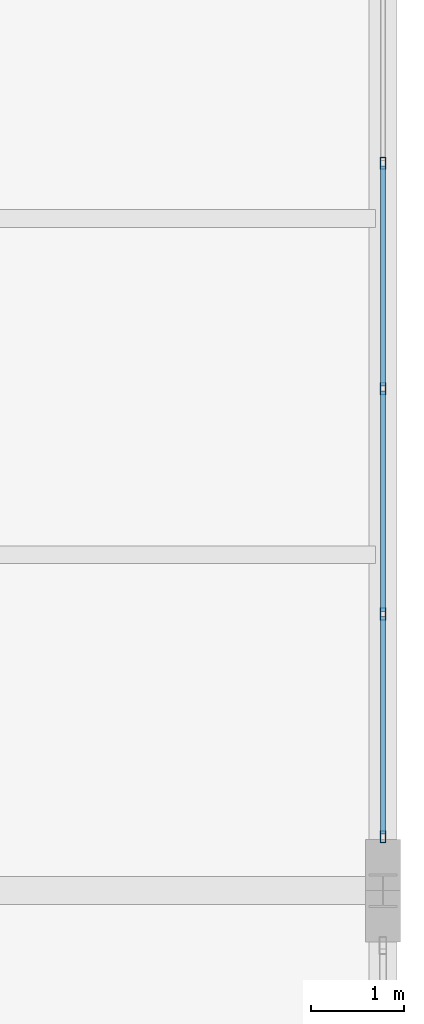
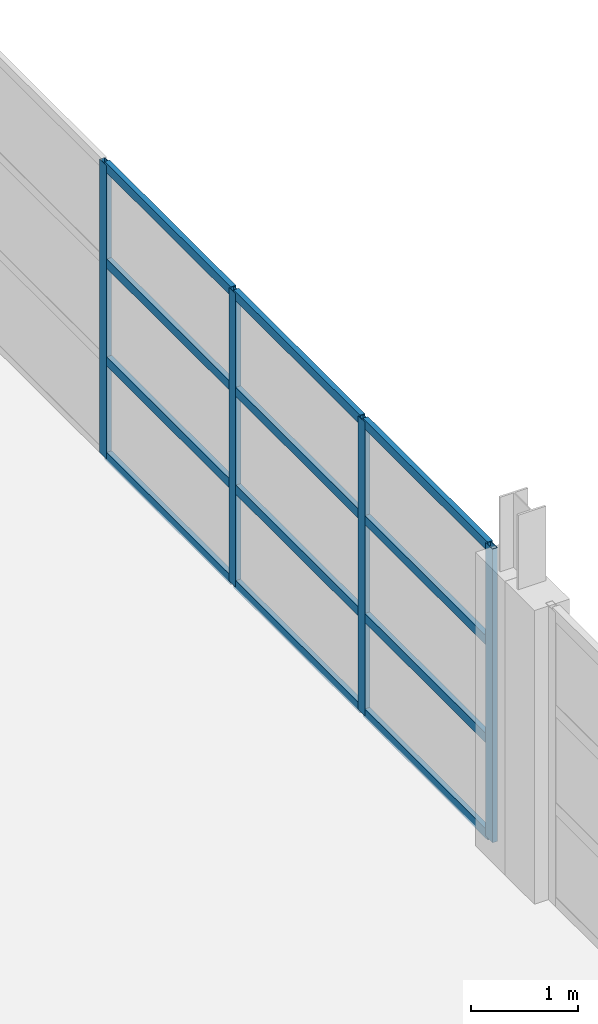
# One storey, part 107 of 147: 16 members, 1 element without a shape of its own.
"""IFC4 building model written with IfcOpenShell, lengths in metres."""

from ifc_helpers import new_model, si_unit, direction, frame, origin, origin_2d, place, context, subcontext, project, spatial, hollow_rectangle, extrude, material, layer, layer_set, material_profile, profile_set, type_object, element, aggregate, save


model = new_model("IFC4")

# Units and contexts
model_context = context("Model", 3, precision=1e-05, world=origin(), true_north=direction((0.0, 1.0)))
body_context = subcontext(model_context, "Body", "Model", "MODEL_VIEW")
ifc_project = project(units=[si_unit("LENGTHUNIT", "METRE"), si_unit("AREAUNIT", "SQUARE_METRE"), si_unit("VOLUMEUNIT", "CUBIC_METRE"), si_unit("PLANEANGLEUNIT", "RADIAN"), si_unit("MASSUNIT", "GRAM", prefix="KILO")], contexts=[model_context])

# Site, building, storey
site_placement = place(None, origin())
site = spatial("IfcSite", under=ifc_project, at=site_placement, CompositionType="ELEMENT")
building_placement = place(site_placement, origin())
building = spatial("IfcBuilding", under=site, at=building_placement, Name="Zilviju Railside Exhibition Hall", CompositionType="ELEMENT")
storey_placement = place(building_placement, frame((0.0, 0.0, 8.39990234375)))
storey = spatial("IfcBuildingStorey", under=building, at=storey_placement, Name="L03", CompositionType="ELEMENT", Elevation=8.39990234375)

# Curtain wall, members
ifc_material_1 = material(Name="Thermally broken aluminium-steel triple-glazed curtain wall", Category="steel")
ifc_layer = layer(ifc_material_1, 0.179931640625)
ifc_layer_set = layer_set([ifc_layer], Name="Thermally broken aluminium-steel triple-glazed curtain wall")
curtain_wall_type = type_object("IfcCurtainWallType", Name="CW-BAY-10", PredefinedType="USERDEFINED", material=ifc_layer_set)
curtain_wall_placement = place(storey_placement, origin())
curtain_wall = element("IfcCurtainWall", 1, at=curtain_wall_placement, inside=storey, type_object=curtain_wall_type, Name="North Hall East Glazed Gable L03 (120..138)", ObjectType="GLAZED CURTAIN WALL", PredefinedType="USERDEFINED")
ifc_material_2 = material(Name="Thermally broken anodized aluminium mullion", Category="aluminium")
ifc_material_profile_1 = material_profile(ifc_material_2, hollow_rectangle(XDim=0.054931640625, YDim=0.1298828125, WallThickness=0.0048828125, at=origin_2d()), Name="MULLION 130x55x5")
ifc_profile_set_1 = profile_set([ifc_material_profile_1], Name="Thermally broken anodized aluminium mullion")
member_type_1 = type_object("IfcMemberType", Name="CWM-55x130", PredefinedType="MULLION", material=ifc_profile_set_1)
member_1_placement = place(storey_placement, frame((216.0, 127.79296875, 0.0), z_axis=(0.0, 0.0, 1.0), x_axis=(1.0, 0.0, 0.0)))
member_1 = element("IfcMember", 2, at=member_1_placement, type_object=member_type_1, Name="CW-10 mullion 5", PredefinedType="MULLION", context=body_context, shape_type="SweptSolid", body=[
    extrude(hollow_rectangle(XDim=0.054931640625, YDim=0.1298828125, WallThickness=0.0048828125, at=origin_2d()), origin(), (0.0, 0.0, 1.0), 3.35009765625),
])
member_2_placement = place(storey_placement, frame((216.0, 125.378662109375, 0.0), z_axis=(0.0, 0.0, 1.0), x_axis=(1.0, 0.0, 0.0)))
member_2 = element("IfcMember", 3, at=member_2_placement, type_object=member_type_1, Name="CW-10 mullion 6", PredefinedType="MULLION", context=body_context, shape_type="SweptSolid", body=[
    extrude(hollow_rectangle(XDim=0.054931640625, YDim=0.1298828125, WallThickness=0.0048828125, at=origin_2d()), origin(), (0.0, 0.0, 1.0), 3.35009765625),
])
member_3_placement = place(storey_placement, frame((216.0, 122.96435546875, 0.0), z_axis=(0.0, 0.0, 1.0), x_axis=(1.0, 0.0, 0.0)))
member_3 = element("IfcMember", 4, at=member_3_placement, type_object=member_type_1, Name="CW-10 mullion 7", PredefinedType="MULLION", context=body_context, shape_type="SweptSolid", body=[
    extrude(hollow_rectangle(XDim=0.054931640625, YDim=0.1298828125, WallThickness=0.0048828125, at=origin_2d()), origin(), (0.0, 0.0, 1.0), 3.35009765625),
])
member_4_placement = place(storey_placement, frame((216.0, 120.577392578125, 0.0), z_axis=(0.0, 0.0, 1.0), x_axis=(1.0, 0.0, 0.0)))
member_4 = element("IfcMember", 5, at=member_4_placement, type_object=member_type_1, Name="CW-10 mullion 8", PredefinedType="MULLION", context=body_context, shape_type="SweptSolid", body=[
    extrude(hollow_rectangle(XDim=0.054931640625, YDim=0.1298828125, WallThickness=0.0048828125, at=origin_2d()), origin(), (0.0, 0.0, 1.0), 3.35009765625),
])
ifc_material_3 = material(Name="Thermally broken anodized aluminium transom", Category="aluminium")
ifc_material_profile_2 = material_profile(ifc_material_3, hollow_rectangle(XDim=0.054931640625, YDim=0.10498046875, WallThickness=0.0048828125, at=origin_2d()), Name="TRANSOM 105x55x5")
ifc_profile_set_2 = profile_set([ifc_material_profile_2], Name="Thermally broken anodized aluminium transom")
member_type_2 = type_object("IfcMemberType", Name="CWT-55x105", PredefinedType="USERDEFINED", material=ifc_profile_set_2)
member_5_placement = place(storey_placement, frame((216.0, 127.765380859375, 0.027587890625), z_axis=(0.0, -1.0, 0.0), x_axis=(1.0, 0.0, 0.0)))
member_5 = element("IfcMember", 6, at=member_5_placement, type_object=member_type_2, Name="CW-10 transom 5.1", ObjectType="TRANSOM", PredefinedType="USERDEFINED", context=body_context, shape_type="SweptSolid", body=[
    extrude(hollow_rectangle(XDim=0.054931640625, YDim=0.10498046875, WallThickness=0.0048828125, at=origin_2d()), origin(), (0.0, 0.0, 1.0), 2.359375),
])
member_6_placement = place(storey_placement, frame((216.0, 127.765380859375, 1.1171875), z_axis=(0.0, -1.0, 0.0), x_axis=(1.0, 0.0, 0.0)))
member_6 = element("IfcMember", 7, at=member_6_placement, type_object=member_type_2, Name="CW-10 transom 5.2", ObjectType="TRANSOM", PredefinedType="USERDEFINED", context=body_context, shape_type="SweptSolid", body=[
    extrude(hollow_rectangle(XDim=0.054931640625, YDim=0.10498046875, WallThickness=0.0048828125, at=origin_2d()), origin(), (0.0, 0.0, 1.0), 2.359375),
])
member_7_placement = place(storey_placement, frame((216.0, 127.765380859375, 2.233154296875), z_axis=(0.0, -1.0, 0.0), x_axis=(1.0, 0.0, 0.0)))
member_7 = element("IfcMember", 8, at=member_7_placement, type_object=member_type_2, Name="CW-10 transom 5.3", ObjectType="TRANSOM", PredefinedType="USERDEFINED", context=body_context, shape_type="SweptSolid", body=[
    extrude(hollow_rectangle(XDim=0.054931640625, YDim=0.10498046875, WallThickness=0.0048828125, at=origin_2d()), origin(), (0.0, 0.0, 1.0), 2.359375),
])
member_8_placement = place(storey_placement, frame((216.0, 127.765380859375, 3.322509765625), z_axis=(0.0, -1.0, 0.0), x_axis=(1.0, 0.0, 0.0)))
member_8 = element("IfcMember", 9, at=member_8_placement, type_object=member_type_2, Name="CW-10 transom 5.4", ObjectType="TRANSOM", PredefinedType="USERDEFINED", context=body_context, shape_type="SweptSolid", body=[
    extrude(hollow_rectangle(XDim=0.054931640625, YDim=0.10498046875, WallThickness=0.0048828125, at=origin_2d()), origin(), (0.0, 0.0, 1.0), 2.359375),
])
member_9_placement = place(storey_placement, frame((216.0, 125.35107421875, 0.027587890625), z_axis=(0.0, -1.0, 0.0), x_axis=(1.0, 0.0, 0.0)))
member_9 = element("IfcMember", 10, at=member_9_placement, type_object=member_type_2, Name="CW-10 transom 6.1", ObjectType="TRANSOM", PredefinedType="USERDEFINED", context=body_context, shape_type="SweptSolid", body=[
    extrude(hollow_rectangle(XDim=0.054931640625, YDim=0.10498046875, WallThickness=0.0048828125, at=origin_2d()), origin(), (0.0, 0.0, 1.0), 2.359375),
])
member_10_placement = place(storey_placement, frame((216.0, 125.35107421875, 1.1171875), z_axis=(0.0, -1.0, 0.0), x_axis=(1.0, 0.0, 0.0)))
member_10 = element("IfcMember", 11, at=member_10_placement, type_object=member_type_2, Name="CW-10 transom 6.2", ObjectType="TRANSOM", PredefinedType="USERDEFINED", context=body_context, shape_type="SweptSolid", body=[
    extrude(hollow_rectangle(XDim=0.054931640625, YDim=0.10498046875, WallThickness=0.0048828125, at=origin_2d()), origin(), (0.0, 0.0, 1.0), 2.359375),
])
member_11_placement = place(storey_placement, frame((216.0, 125.35107421875, 2.233154296875), z_axis=(0.0, -1.0, 0.0), x_axis=(1.0, 0.0, 0.0)))
member_11 = element("IfcMember", 12, at=member_11_placement, type_object=member_type_2, Name="CW-10 transom 6.3", ObjectType="TRANSOM", PredefinedType="USERDEFINED", context=body_context, shape_type="SweptSolid", body=[
    extrude(hollow_rectangle(XDim=0.054931640625, YDim=0.10498046875, WallThickness=0.0048828125, at=origin_2d()), origin(), (0.0, 0.0, 1.0), 2.359375),
])
member_12_placement = place(storey_placement, frame((216.0, 125.35107421875, 3.322509765625), z_axis=(0.0, -1.0, 0.0), x_axis=(1.0, 0.0, 0.0)))
member_12 = element("IfcMember", 13, at=member_12_placement, type_object=member_type_2, Name="CW-10 transom 6.4", ObjectType="TRANSOM", PredefinedType="USERDEFINED", context=body_context, shape_type="SweptSolid", body=[
    extrude(hollow_rectangle(XDim=0.054931640625, YDim=0.10498046875, WallThickness=0.0048828125, at=origin_2d()), origin(), (0.0, 0.0, 1.0), 2.359375),
])
member_13_placement = place(storey_placement, frame((216.0, 122.936767578125, 0.027587890625), z_axis=(0.0, -1.0, 0.0), x_axis=(1.0, 0.0, 0.0)))
member_13 = element("IfcMember", 14, at=member_13_placement, type_object=member_type_2, Name="CW-10 transom 7.1", ObjectType="TRANSOM", PredefinedType="USERDEFINED", context=body_context, shape_type="SweptSolid", body=[
    extrude(hollow_rectangle(XDim=0.054931640625, YDim=0.10498046875, WallThickness=0.0048828125, at=origin_2d()), origin(), (0.0, 0.0, 1.0), 2.331787109375),
])
member_14_placement = place(storey_placement, frame((216.0, 122.936767578125, 1.1171875), z_axis=(0.0, -1.0, 0.0), x_axis=(1.0, 0.0, 0.0)))
member_14 = element("IfcMember", 15, at=member_14_placement, type_object=member_type_2, Name="CW-10 transom 7.2", ObjectType="TRANSOM", PredefinedType="USERDEFINED", context=body_context, shape_type="SweptSolid", body=[
    extrude(hollow_rectangle(XDim=0.054931640625, YDim=0.10498046875, WallThickness=0.0048828125, at=origin_2d()), origin(), (0.0, 0.0, 1.0), 2.331787109375),
])
member_15_placement = place(storey_placement, frame((216.0, 122.936767578125, 2.233154296875), z_axis=(0.0, -1.0, 0.0), x_axis=(1.0, 0.0, 0.0)))
member_15 = element("IfcMember", 16, at=member_15_placement, type_object=member_type_2, Name="CW-10 transom 7.3", ObjectType="TRANSOM", PredefinedType="USERDEFINED", context=body_context, shape_type="SweptSolid", body=[
    extrude(hollow_rectangle(XDim=0.054931640625, YDim=0.10498046875, WallThickness=0.0048828125, at=origin_2d()), origin(), (0.0, 0.0, 1.0), 2.331787109375),
])
member_16_placement = place(storey_placement, frame((216.0, 122.936767578125, 3.322509765625), z_axis=(0.0, -1.0, 0.0), x_axis=(1.0, 0.0, 0.0)))
member_16 = element("IfcMember", 17, at=member_16_placement, type_object=member_type_2, Name="CW-10 transom 7.4", ObjectType="TRANSOM", PredefinedType="USERDEFINED", context=body_context, shape_type="SweptSolid", body=[
    extrude(hollow_rectangle(XDim=0.054931640625, YDim=0.10498046875, WallThickness=0.0048828125, at=origin_2d()), origin(), (0.0, 0.0, 1.0), 2.331787109375),
])
aggregate(curtain_wall, [member_1, member_2, member_3, member_4, member_5, member_6, member_7, member_8, member_9, member_10, member_11, member_12, member_13, member_14, member_15, member_16])

save(model, "model.ifc")
